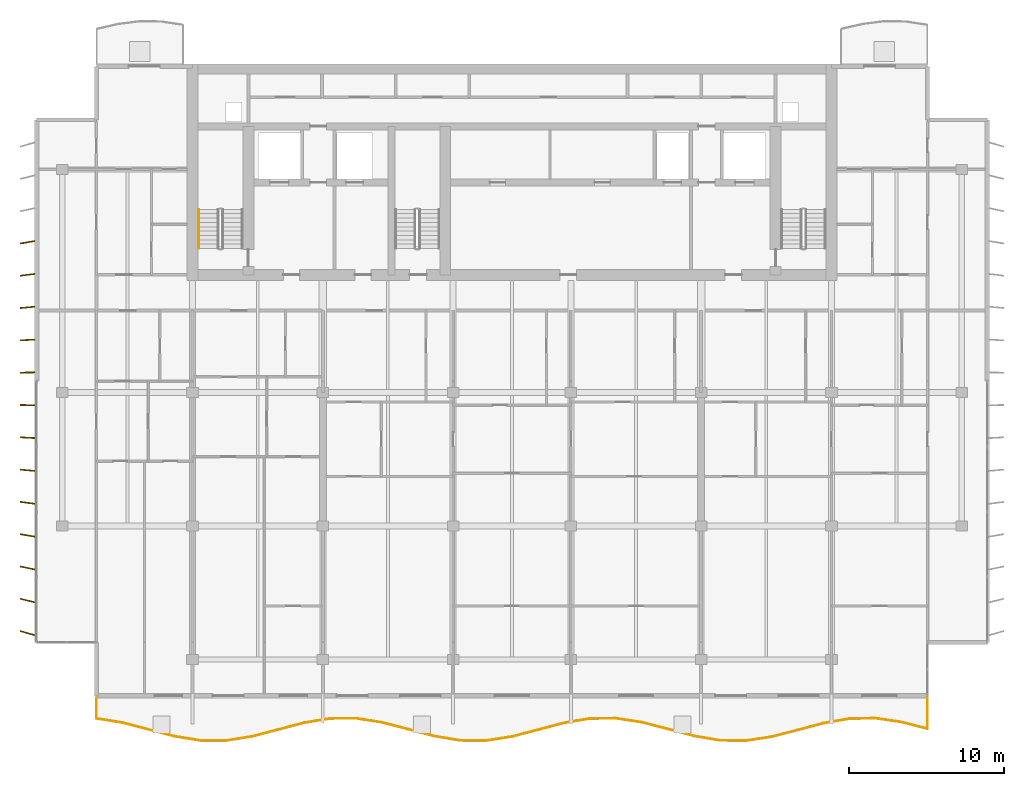
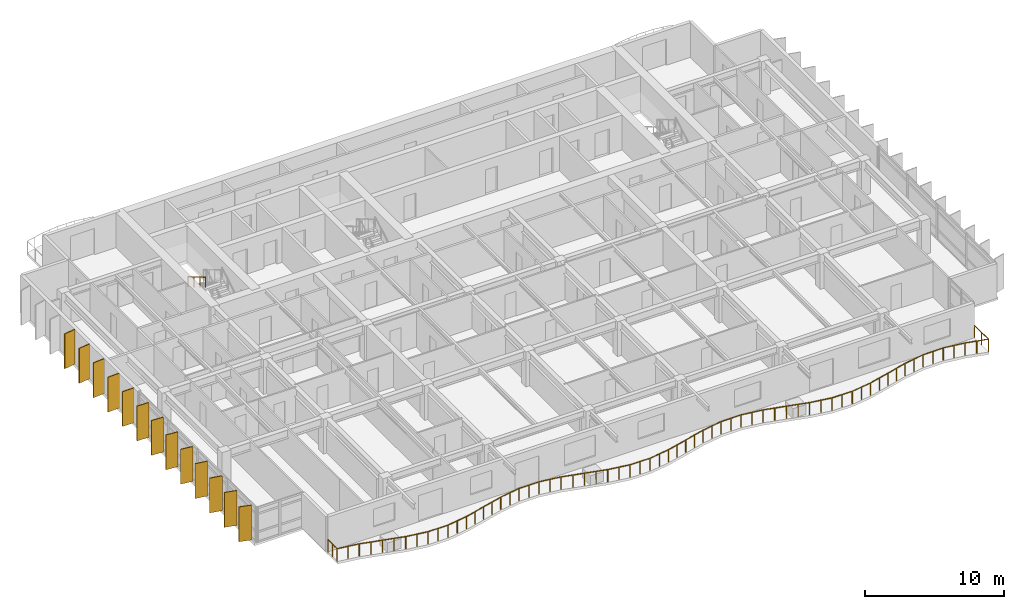
# One storey, part 12 of 16: 13 shading devices, 2 railings.
"""IFC4 building model written with IfcOpenShell, lengths in metres."""

from ifc_helpers import new_model, si_unit, direction, frame, origin, origin_2d, place, context, subcontext, project, spatial, rectangle, circle, extrude, material, material_profile, profile_set, type_object, element, save


model = new_model("IFC4")

# Units and contexts
model_context = context("Model", 3, precision=1e-05, world=origin(), true_north=direction((0.0, 1.0)))
body_context = subcontext(model_context, "Body", "Model", "MODEL_VIEW")
ifc_project = project(units=[si_unit("LENGTHUNIT", "METRE"), si_unit("AREAUNIT", "SQUARE_METRE"), si_unit("VOLUMEUNIT", "CUBIC_METRE"), si_unit("PLANEANGLEUNIT", "RADIAN"), si_unit("MASSUNIT", "GRAM", prefix="KILO")], contexts=[model_context])

# Site, building, storey
site_placement = place(None, origin())
site = spatial("IfcSite", under=ifc_project, at=site_placement, CompositionType="ELEMENT")
building_placement = place(site_placement, origin())
building = spatial("IfcBuilding", under=site, at=building_placement, Name="Caelmar Bay Residences", CompositionType="ELEMENT")
storey_placement = place(building_placement, frame((0.0, 0.0, 252.89990234375)))
storey = spatial("IfcBuildingStorey", under=building, at=storey_placement, Name="L71", CompositionType="ELEMENT", Elevation=252.89990234375)

# Railings
ifc_material_1 = material(Name="Anodised bronze handrail with laminated hurricane glass infill", Category="glass")
railing_type_1 = type_object("IfcRailingType", Name="RL-BAL-1100", PredefinedType="BALUSTRADE", material=ifc_material_1)
railing_1_placement = place(storey_placement, frame((12.10009765625, 9.699951171875, 0.0)))
element("IfcRailing", 1, at=railing_1_placement, inside=storey, type_object=railing_type_1, Name="L71 south Balcony Balustrade", PredefinedType="BALUSTRADE", context=body_context, shape_type="SweptSolid", body=[
    extrude(circle(Radius=0.02392578125, at=origin_2d()), frame((0.0, 0.0, 1.076171875), z_axis=(0.0, -1.0, 0.0), x_axis=(1.0, 0.0, 0.0)), (0.0, 0.0, 1.0), 1.306640625),
    extrude(circle(Radius=0.02392578125, at=origin_2d()), frame((0.0, -1.306640625, 1.076171875), z_axis=(0.987138026326, -0.15987031301, 0.0), x_axis=(0.15987031301, 0.987138026326, 0.0)), (0.0, 0.0, 1.0), 1.696533203125),
    extrude(circle(Radius=0.02392578125, at=origin_2d()), frame((1.6748046875, -1.577880859375, 1.076171875), z_axis=(0.967300607589, -0.25363267644, 0.0), x_axis=(0.25363267644, 0.967300607589, 0.0)), (0.0, 0.0, 1.0), 1.731689453125),
    extrude(circle(Radius=0.02392578125, at=origin_2d()), frame((3.349853515625, -2.01708984375, 1.076171875), z_axis=(0.967162126657, -0.25416022655, 0.0), x_axis=(0.25416022655, 0.967162126657, 0.0)), (0.0, 0.0, 1.0), 1.73193359375),
    extrude(circle(Radius=0.02392578125, at=origin_2d()), frame((5.02490234375, -2.457275390625, 1.076171875), z_axis=(0.986867913487, -0.161529320339, 0.0), x_axis=(0.161529320339, 0.986867913487, 0.0)), (0.0, 0.0, 1.0), 1.697265625),
    extrude(circle(Radius=0.02392578125, at=origin_2d()), frame((6.699951171875, -2.7314453125, 1.076171875), z_axis=(0.999997280849, -0.00233201523, 0.0), x_axis=(0.00233201523, 0.999997280849, 0.0)), (0.0, 0.0, 1.0), 1.675048828125),
    extrude(circle(Radius=0.02392578125, at=origin_2d()), frame((8.375, -2.7353515625, 1.076171875), z_axis=(0.987454102, 0.157906290072, 0.0), x_axis=(-0.157906290072, 0.987454102, 0.0)), (0.0, 0.0, 1.0), 1.696044921875),
    extrude(circle(Radius=0.02392578125, at=origin_2d()), frame((10.0498046875, -2.467529296875, 1.076171875), z_axis=(0.967507863386, 0.25284092684, 0.0), x_axis=(-0.25284092684, 0.967507863386, 0.0)), (0.0, 0.0, 1.0), 1.731201171875),
    extrude(circle(Radius=0.02392578125, at=origin_2d()), frame((11.724853515625, -2.02978515625, 1.076171875), z_axis=(0.966953940543, 0.254951126431, 0.0), x_axis=(-0.254951126431, 0.966953940543, 0.0)), (0.0, 0.0, 1.0), 1.732177734375),
    extrude(circle(Radius=0.02392578125, at=origin_2d()), frame((13.39990234375, -1.588134765625, 1.076171875), z_axis=(0.986545067367, 0.163489541116, 0.0), x_axis=(-0.163489541116, 0.986545067367, 0.0)), (0.0, 0.0, 1.0), 1.697998046875),
    extrude(circle(Radius=0.02392578125, at=origin_2d()), frame((15.074951171875, -1.310546875, 1.076171875), z_axis=(0.999988433139, 0.004809738856, 0.0), x_axis=(-0.004809738856, 0.999988433139, 0.0)), (0.0, 0.0, 1.0), 1.675048828125),
    extrude(circle(Radius=0.02392578125, at=origin_2d()), frame((16.75, -1.302490234375, 1.076171875), z_axis=(0.987788637085, -0.155799898736, 0.0), x_axis=(0.155799898736, 0.987788637085, 0.0)), (0.0, 0.0, 1.0), 1.695556640625),
    extrude(circle(Radius=0.02392578125, at=origin_2d()), frame((18.4248046875, -1.566650390625, 1.076171875), z_axis=(0.967680148991, -0.252180747179, 0.0), x_axis=(0.252180747179, 0.967680148991, 0.0)), (0.0, 0.0, 1.0), 1.73095703125),
    extrude(circle(Radius=0.02392578125, at=origin_2d()), frame((20.099853515625, -2.003173828125, 1.076171875), z_axis=(0.966780026886, -0.255609819089, 0.0), x_axis=(0.255609819089, 0.966780026886, 0.0)), (0.0, 0.0, 1.0), 1.732666015625),
    extrude(circle(Radius=0.02392578125, at=origin_2d()), frame((21.77490234375, -2.446044921875, 1.076171875), z_axis=(0.986218543932, -0.16544782744, 0.0), x_axis=(0.16544782744, 0.986218543932, 0.0)), (0.0, 0.0, 1.0), 1.698486328125),
    extrude(circle(Radius=0.02392578125, at=origin_2d()), frame((23.449951171875, -2.72705078125, 1.076171875), z_axis=(0.999972374031, -0.007433113406, 0.0), x_axis=(0.007433113406, 0.999972374031, 0.0)), (0.0, 0.0, 1.0), 1.675048828125),
    extrude(circle(Radius=0.02392578125, at=origin_2d()), frame((25.125, -2.739501953125, 1.076171875), z_axis=(0.988097015295, 0.15383201346, 0.0), x_axis=(-0.15383201346, 0.988097015295, 0.0)), (0.0, 0.0, 1.0), 1.695068359375),
    extrude(circle(Radius=0.02392578125, at=origin_2d()), frame((26.7998046875, -2.478759765625, 1.076171875), z_axis=(0.967886377615, 0.251388066595, 0.0), x_axis=(-0.251388066595, 0.967886377615, 0.0)), (0.0, 0.0, 1.0), 1.730712890625),
    extrude(circle(Radius=0.02392578125, at=origin_2d()), frame((28.474853515625, -2.043701171875, 1.076171875), z_axis=(0.966640618127, 0.25613651709, 0.0), x_axis=(-0.25613651709, 0.966640618127, 0.0)), (0.0, 0.0, 1.0), 1.73291015625),
    extrude(circle(Radius=0.02392578125, at=origin_2d()), frame((30.14990234375, -1.599853515625, 1.076171875), z_axis=(0.985888354551, 0.167404158731, 0.0), x_axis=(-0.167404158731, 0.985888354551, 0.0)), (0.0, 0.0, 1.0), 1.698974609375),
    extrude(circle(Radius=0.02392578125, at=origin_2d()), frame((31.824951171875, -1.3154296875, 1.076171875), z_axis=(0.999947957597, 0.010202063406, 0.0), x_axis=(-0.010202063406, 0.999947957597, 0.0)), (0.0, 0.0, 1.0), 1.675048828125),
    extrude(circle(Radius=0.02392578125, at=origin_2d()), frame((33.5, -1.29833984375, 1.076171875), z_axis=(0.988401660792, -0.151862295988, 0.0), x_axis=(0.151862295988, 0.988401660792, 0.0)), (0.0, 0.0, 1.0), 1.6943359375),
    extrude(circle(Radius=0.02392578125, at=origin_2d()), frame((35.1748046875, -1.5556640625, 1.076171875), z_axis=(0.968092044278, -0.250594879848, 0.0), x_axis=(0.250594879848, 0.968092044278, 0.0)), (0.0, 0.0, 1.0), 1.730224609375),
    extrude(circle(Radius=0.02392578125, at=origin_2d()), frame((36.849853515625, -1.9892578125, 1.076171875), z_axis=(0.96646601047, -0.25679456888, 0.0), x_axis=(0.25679456888, 0.96646601047, 0.0)), (0.0, 0.0, 1.0), 1.733154296875),
    extrude(circle(Radius=0.02392578125, at=origin_2d()), frame((38.52490234375, -2.434326171875, 1.076171875), z_axis=(0.985554510699, -0.169358514519, 0.0), x_axis=(0.169358514519, 0.985554510699, 0.0)), (0.0, 0.0, 1.0), 1.69970703125),
    extrude(circle(Radius=0.02392578125, at=origin_2d()), frame((40.199951171875, -2.72216796875, 1.076171875), z_axis=(0.999921450957, -0.012533631363, 0.0), x_axis=(0.012533631363, 0.999921450957, 0.0)), (0.0, 0.0, 1.0), 1.67529296875),
    extrude(circle(Radius=0.02392578125, at=origin_2d()), frame((41.875, -2.7431640625, 1.076171875), z_axis=(0.988745242663, 0.149608974036, 0.0), x_axis=(-0.149608974036, 0.988745242663, 0.0)), (0.0, 0.0, 1.0), 1.69384765625),
    extrude(circle(Radius=0.02392578125, at=origin_2d()), frame((43.5498046875, -2.48974609375, 1.076171875), z_axis=(0.968331276877, 0.249668857134, 0.0), x_axis=(-0.249668857134, 0.968331276877, 0.0)), (0.0, 0.0, 1.0), 1.729736328125),
    extrude(circle(Radius=0.02392578125, at=origin_2d()), frame((45.224853515625, -2.057861328125, 1.076171875), z_axis=(0.966291018229, 0.257452263711, 0.0), x_axis=(-0.257452263711, 0.966291018229, 0.0)), (0.0, 0.0, 1.0), 1.7333984375),
    extrude(circle(Radius=0.02392578125, at=origin_2d()), frame((46.89990234375, -1.611572265625, 1.076171875), z_axis=(0.985217023958, 0.171310874447, 0.0), x_axis=(-0.171310874447, 0.985217023958, 0.0)), (0.0, 0.0, 1.0), 1.7001953125),
    extrude(circle(Radius=0.02392578125, at=origin_2d()), frame((48.574951171875, -1.3203125, 1.076171875), z_axis=(0.999882916018, 0.01530209972, 0.0), x_axis=(-0.01530209972, 0.999882916018, 0.0)), (0.0, 0.0, 1.0), 1.67529296875),
    extrude(circle(Radius=0.02392578125, at=origin_2d()), frame((50.25, -1.294677734375, 1.076171875), z_axis=(0.989041853545, -0.147635402045, 0.0), x_axis=(0.147635402045, 0.989041853545, 0.0)), (0.0, 0.0, 1.0), 1.693359375),
    extrude(circle(Radius=0.02392578125, at=origin_2d()), frame((51.9248046875, -1.544677734375, 1.076171875), z_axis=(0.968535721886, -0.248874577712, 0.0), x_axis=(0.248874577712, 0.968535721886, 0.0)), (0.0, 0.0, 1.0), 1.7294921875),
    extrude(circle(Radius=0.02392578125, at=origin_2d()), frame((53.599853515625, -1.97509765625, 1.076171875), z_axis=(0.0, 1.0, 0.0), x_axis=(-1.0, 0.0, 0.0)), (0.0, 0.0, 1.0), 1.97509765625),
    extrude(circle(Radius=0.02099609375, at=origin_2d()), origin(), (0.0, 0.0, 1.0), 1.052001953125),
    extrude(circle(Radius=0.02099609375, at=origin_2d()), frame((0.0, -0.6533203125, 0.0)), (0.0, 0.0, 1.0), 1.052001953125),
    extrude(circle(Radius=0.02099609375, at=origin_2d()), frame((0.0, -1.306640625, 0.0)), (0.0, 0.0, 1.0), 1.052001953125),
    extrude(circle(Radius=0.02099609375, at=origin_2d()), frame((0.83740234375, -1.4423828125, 0.0)), (0.0, 0.0, 1.0), 1.052001953125),
    extrude(circle(Radius=0.02099609375, at=origin_2d()), frame((1.6748046875, -1.577880859375, 0.0)), (0.0, 0.0, 1.0), 1.052001953125),
    extrude(circle(Radius=0.02099609375, at=origin_2d()), frame((2.51220703125, -1.79736328125, 0.0)), (0.0, 0.0, 1.0), 1.052001953125),
    extrude(circle(Radius=0.02099609375, at=origin_2d()), frame((3.349853515625, -2.01708984375, 0.0)), (0.0, 0.0, 1.0), 1.052001953125),
    extrude(circle(Radius=0.02099609375, at=origin_2d()), frame((4.1875, -2.2373046875, 0.0)), (0.0, 0.0, 1.0), 1.052001953125),
    extrude(circle(Radius=0.02099609375, at=origin_2d()), frame((5.02490234375, -2.457275390625, 0.0)), (0.0, 0.0, 1.0), 1.052001953125),
    extrude(circle(Radius=0.02099609375, at=origin_2d()), frame((5.8623046875, -2.59423828125, 0.0)), (0.0, 0.0, 1.0), 1.052001953125),
    extrude(circle(Radius=0.02099609375, at=origin_2d()), frame((6.699951171875, -2.7314453125, 0.0)), (0.0, 0.0, 1.0), 1.052001953125),
    extrude(circle(Radius=0.02099609375, at=origin_2d()), frame((7.53759765625, -2.7333984375, 0.0)), (0.0, 0.0, 1.0), 1.052001953125),
    extrude(circle(Radius=0.02099609375, at=origin_2d()), frame((8.375, -2.7353515625, 0.0)), (0.0, 0.0, 1.0), 1.052001953125),
    extrude(circle(Radius=0.02099609375, at=origin_2d()), frame((9.21240234375, -2.6015625, 0.0)), (0.0, 0.0, 1.0), 1.052001953125),
    extrude(circle(Radius=0.02099609375, at=origin_2d()), frame((10.0498046875, -2.467529296875, 0.0)), (0.0, 0.0, 1.0), 1.052001953125),
    extrude(circle(Radius=0.02099609375, at=origin_2d()), frame((10.88720703125, -2.24853515625, 0.0)), (0.0, 0.0, 1.0), 1.052001953125),
    extrude(circle(Radius=0.02099609375, at=origin_2d()), frame((11.724853515625, -2.02978515625, 0.0)), (0.0, 0.0, 1.0), 1.052001953125),
    extrude(circle(Radius=0.02099609375, at=origin_2d()), frame((12.5625, -1.80908203125, 0.0)), (0.0, 0.0, 1.0), 1.052001953125),
    extrude(circle(Radius=0.02099609375, at=origin_2d()), frame((13.39990234375, -1.588134765625, 0.0)), (0.0, 0.0, 1.0), 1.052001953125),
    extrude(circle(Radius=0.02099609375, at=origin_2d()), frame((14.2373046875, -1.44921875, 0.0)), (0.0, 0.0, 1.0), 1.052001953125),
    extrude(circle(Radius=0.02099609375, at=origin_2d()), frame((15.074951171875, -1.310546875, 0.0)), (0.0, 0.0, 1.0), 1.052001953125),
    extrude(circle(Radius=0.02099609375, at=origin_2d()), frame((15.91259765625, -1.306640625, 0.0)), (0.0, 0.0, 1.0), 1.052001953125),
    extrude(circle(Radius=0.02099609375, at=origin_2d()), frame((16.75, -1.302490234375, 0.0)), (0.0, 0.0, 1.0), 1.052001953125),
    extrude(circle(Radius=0.02099609375, at=origin_2d()), frame((17.58740234375, -1.4345703125, 0.0)), (0.0, 0.0, 1.0), 1.052001953125),
    extrude(circle(Radius=0.02099609375, at=origin_2d()), frame((18.4248046875, -1.566650390625, 0.0)), (0.0, 0.0, 1.0), 1.052001953125),
    extrude(circle(Radius=0.02099609375, at=origin_2d()), frame((19.26220703125, -1.784912109375, 0.0)), (0.0, 0.0, 1.0), 1.052001953125),
    extrude(circle(Radius=0.02099609375, at=origin_2d()), frame((20.099853515625, -2.003173828125, 0.0)), (0.0, 0.0, 1.0), 1.052001953125),
    extrude(circle(Radius=0.02099609375, at=origin_2d()), frame((20.9375, -2.224609375, 0.0)), (0.0, 0.0, 1.0), 1.052001953125),
    extrude(circle(Radius=0.02099609375, at=origin_2d()), frame((21.77490234375, -2.446044921875, 0.0)), (0.0, 0.0, 1.0), 1.052001953125),
    extrude(circle(Radius=0.02099609375, at=origin_2d()), frame((22.6123046875, -2.58642578125, 0.0)), (0.0, 0.0, 1.0), 1.052001953125),
    extrude(circle(Radius=0.02099609375, at=origin_2d()), frame((23.449951171875, -2.72705078125, 0.0)), (0.0, 0.0, 1.0), 1.052001953125),
    extrude(circle(Radius=0.02099609375, at=origin_2d()), frame((24.28759765625, -2.7333984375, 0.0)), (0.0, 0.0, 1.0), 1.052001953125),
    extrude(circle(Radius=0.02099609375, at=origin_2d()), frame((25.125, -2.739501953125, 0.0)), (0.0, 0.0, 1.0), 1.052001953125),
    extrude(circle(Radius=0.02099609375, at=origin_2d()), frame((25.96240234375, -2.609130859375, 0.0)), (0.0, 0.0, 1.0), 1.052001953125),
    extrude(circle(Radius=0.02099609375, at=origin_2d()), frame((26.7998046875, -2.478759765625, 0.0)), (0.0, 0.0, 1.0), 1.052001953125),
    extrude(circle(Radius=0.02099609375, at=origin_2d()), frame((27.63720703125, -2.26123046875, 0.0)), (0.0, 0.0, 1.0), 1.052001953125),
    extrude(circle(Radius=0.02099609375, at=origin_2d()), frame((28.474853515625, -2.043701171875, 0.0)), (0.0, 0.0, 1.0), 1.052001953125),
    extrude(circle(Radius=0.02099609375, at=origin_2d()), frame((29.3125, -1.82177734375, 0.0)), (0.0, 0.0, 1.0), 1.052001953125),
    extrude(circle(Radius=0.02099609375, at=origin_2d()), frame((30.14990234375, -1.599853515625, 0.0)), (0.0, 0.0, 1.0), 1.052001953125),
    extrude(circle(Radius=0.02099609375, at=origin_2d()), frame((30.9873046875, -1.45751953125, 0.0)), (0.0, 0.0, 1.0), 1.052001953125),
    extrude(circle(Radius=0.02099609375, at=origin_2d()), frame((31.824951171875, -1.3154296875, 0.0)), (0.0, 0.0, 1.0), 1.052001953125),
    extrude(circle(Radius=0.02099609375, at=origin_2d()), frame((32.66259765625, -1.306884765625, 0.0)), (0.0, 0.0, 1.0), 1.052001953125),
    extrude(circle(Radius=0.02099609375, at=origin_2d()), frame((33.5, -1.29833984375, 0.0)), (0.0, 0.0, 1.0), 1.052001953125),
    extrude(circle(Radius=0.02099609375, at=origin_2d()), frame((34.33740234375, -1.427001953125, 0.0)), (0.0, 0.0, 1.0), 1.052001953125),
    extrude(circle(Radius=0.02099609375, at=origin_2d()), frame((35.1748046875, -1.5556640625, 0.0)), (0.0, 0.0, 1.0), 1.052001953125),
    extrude(circle(Radius=0.02099609375, at=origin_2d()), frame((36.01220703125, -1.7724609375, 0.0)), (0.0, 0.0, 1.0), 1.052001953125),
    extrude(circle(Radius=0.02099609375, at=origin_2d()), frame((36.849853515625, -1.9892578125, 0.0)), (0.0, 0.0, 1.0), 1.052001953125),
    extrude(circle(Radius=0.02099609375, at=origin_2d()), frame((37.6875, -2.2119140625, 0.0)), (0.0, 0.0, 1.0), 1.052001953125),
    extrude(circle(Radius=0.02099609375, at=origin_2d()), frame((38.52490234375, -2.434326171875, 0.0)), (0.0, 0.0, 1.0), 1.052001953125),
    extrude(circle(Radius=0.02099609375, at=origin_2d()), frame((39.3623046875, -2.578125, 0.0)), (0.0, 0.0, 1.0), 1.052001953125),
    extrude(circle(Radius=0.02099609375, at=origin_2d()), frame((40.199951171875, -2.72216796875, 0.0)), (0.0, 0.0, 1.0), 1.052001953125),
    extrude(circle(Radius=0.02099609375, at=origin_2d()), frame((41.03759765625, -2.732666015625, 0.0)), (0.0, 0.0, 1.0), 1.052001953125),
    extrude(circle(Radius=0.02099609375, at=origin_2d()), frame((41.875, -2.7431640625, 0.0)), (0.0, 0.0, 1.0), 1.052001953125),
    extrude(circle(Radius=0.02099609375, at=origin_2d()), frame((42.71240234375, -2.616455078125, 0.0)), (0.0, 0.0, 1.0), 1.052001953125),
    extrude(circle(Radius=0.02099609375, at=origin_2d()), frame((43.5498046875, -2.48974609375, 0.0)), (0.0, 0.0, 1.0), 1.052001953125),
    extrude(circle(Radius=0.02099609375, at=origin_2d()), frame((44.38720703125, -2.27392578125, 0.0)), (0.0, 0.0, 1.0), 1.052001953125),
    extrude(circle(Radius=0.02099609375, at=origin_2d()), frame((45.224853515625, -2.057861328125, 0.0)), (0.0, 0.0, 1.0), 1.052001953125),
    extrude(circle(Radius=0.02099609375, at=origin_2d()), frame((46.0625, -1.834716796875, 0.0)), (0.0, 0.0, 1.0), 1.052001953125),
    extrude(circle(Radius=0.02099609375, at=origin_2d()), frame((46.89990234375, -1.611572265625, 0.0)), (0.0, 0.0, 1.0), 1.052001953125),
    extrude(circle(Radius=0.02099609375, at=origin_2d()), frame((47.7373046875, -1.4658203125, 0.0)), (0.0, 0.0, 1.0), 1.052001953125),
    extrude(circle(Radius=0.02099609375, at=origin_2d()), frame((48.574951171875, -1.3203125, 0.0)), (0.0, 0.0, 1.0), 1.052001953125),
    extrude(circle(Radius=0.02099609375, at=origin_2d()), frame((49.41259765625, -1.3076171875, 0.0)), (0.0, 0.0, 1.0), 1.052001953125),
    extrude(circle(Radius=0.02099609375, at=origin_2d()), frame((50.25, -1.294677734375, 0.0)), (0.0, 0.0, 1.0), 1.052001953125),
    extrude(circle(Radius=0.02099609375, at=origin_2d()), frame((51.08740234375, -1.419677734375, 0.0)), (0.0, 0.0, 1.0), 1.052001953125),
    extrude(circle(Radius=0.02099609375, at=origin_2d()), frame((51.9248046875, -1.544677734375, 0.0)), (0.0, 0.0, 1.0), 1.052001953125),
    extrude(circle(Radius=0.02099609375, at=origin_2d()), frame((52.76220703125, -1.759765625, 0.0)), (0.0, 0.0, 1.0), 1.052001953125),
    extrude(circle(Radius=0.02099609375, at=origin_2d()), frame((53.599853515625, -1.97509765625, 0.0)), (0.0, 0.0, 1.0), 1.052001953125),
    extrude(circle(Radius=0.02099609375, at=origin_2d()), frame((53.599853515625, -0.987548828125, 0.0)), (0.0, 0.0, 1.0), 1.052001953125),
    extrude(circle(Radius=0.02099609375, at=origin_2d()), frame((53.599853515625, 0.0, 0.0)), (0.0, 0.0, 1.0), 1.052001953125),
])
ifc_material_2 = material(Name="Brushed bronze stainless-steel tubular handrail 900 mm", Category="steel")
railing_type_2 = type_object("IfcRailingType", Name="RL-HND-900", PredefinedType="HANDRAIL", material=ifc_material_2)
railing_2_placement = place(storey_placement, frame((18.699951171875, 41.219970703125, 1.815185546875)))
element("IfcRailing", 2, at=railing_2_placement, inside=storey, type_object=railing_type_2, Name="L71 ST1 stair handrail 2", PredefinedType="HANDRAIL", context=body_context, shape_type="SweptSolid", body=[
    extrude(circle(Radius=0.02392578125, at=origin_2d()), frame((0.0, 0.0, 0.8759765625), z_axis=(0.0, -0.861560626758, 0.507654692109), x_axis=(1.0, 0.0, 0.0)), (0.0, 0.0, 1.0), 2.925048828125),
    extrude(circle(Radius=0.02099609375, at=origin_2d()), origin(), (0.0, 0.0, 1.0), 0.851806640625),
    extrude(circle(Radius=0.02099609375, at=origin_2d()), frame((0.0, -0.840087890625, 0.494873046875)), (0.0, 0.0, 1.0), 0.851806640625),
    extrude(circle(Radius=0.02099609375, at=origin_2d()), frame((0.0, -1.679931640625, 0.989990234375)), (0.0, 0.0, 1.0), 0.851806640625),
    extrude(circle(Radius=0.02099609375, at=origin_2d()), frame((0.0, -2.52001953125, 1.48486328125)), (0.0, 0.0, 1.0), 0.851806640625),
])

# Shading devices
ifc_material_3 = material(Name="Anodised architectural bronze aluminium 6063-T6", Category="aluminium")
ifc_material_profile = material_profile(ifc_material_3, rectangle(XDim=0.074951171875, YDim=0.949951171875, at=origin_2d()), Name="BRONZE-FIN-75X950")
ifc_profile_set = profile_set([ifc_material_profile], Name="Anodised architectural bronze aluminium 6063-T6")
shading_device_type = type_object("IfcShadingDeviceType", Name="SHD-FIN-950", PredefinedType="USERDEFINED", material=ifc_profile_set)
for number, where, z_axis, x_axis, name in (
    (3, (7.64990234375, 13.89990234375, 0.0), (0.0, 0.0, 1.0), (0.275637355817, 0.961261695938, 0.0), "L71 West Bronze Solar Fin 1"),
    (4, (7.64990234375, 16.0, 0.0), (0.0, 0.0, 1.0), (0.239719743609, 0.970842131618, 0.0), "L71 West Bronze Solar Fin 2"),
    (5, (7.64990234375, 18.10009765625, 0.0), (0.0, 0.0, 1.0), (0.2032999874, 0.979116497217, 0.0), "L71 West Bronze Solar Fin 3"),
    (6, (7.64990234375, 20.199951171875, 0.0), (0.0, 0.0, 1.0), (0.166768746716, 0.985996037071, 0.0), "L71 West Bronze Solar Fin 4"),
    (7, (7.64990234375, 22.300048828125, 0.0), (0.0, 0.0, 1.0), (0.130007055036, 0.99151306882, 0.0), "L71 West Bronze Solar Fin 5"),
    (8, (7.64990234375, 24.39990234375, 0.0), (0.0, 0.0, 1.0), (0.092891934994, 0.995676196569, 0.0), "L71 West Bronze Solar Fin 6"),
    (9, (7.64990234375, 26.5, 0.0), (0.0, 0.0, 1.0), (0.055821504993, 0.998440764182, 0.0), "L71 West Bronze Solar Fin 7"),
    (10, (7.64990234375, 28.60009765625, 0.0), (0.0, 0.0, 1.0), (0.018673937509, 0.999825626826, 0.0), "L71 West Bronze Solar Fin 8"),
    (11, (7.64990234375, 30.699951171875, 0.0), (0.0, 0.0, 1.0), (-0.018673937509, 0.999825626826, 0.0), "L71 West Bronze Solar Fin 9"),
    (12, (7.64990234375, 32.800048828125, 0.0), (0.0, 0.0, 1.0), (-0.055821504993, 0.998440764182, 0.0), "L71 West Bronze Solar Fin 10"),
    (13, (7.64990234375, 34.89990234375, 0.0), (0.0, 0.0, 1.0), (-0.092891934994, 0.995676196569, 0.0), "L71 West Bronze Solar Fin 11"),
    (14, (7.64990234375, 37.0, 0.0), (0.0, 0.0, 1.0), (-0.130007055036, 0.99151306882, 0.0), "L71 West Bronze Solar Fin 12"),
    (15, (7.64990234375, 39.10009765625, 0.0), (0.0, 0.0, 1.0), (-0.166768746716, 0.985996037071, 0.0), "L71 West Bronze Solar Fin 13"),
):
    element("IfcShadingDevice", number, at=place(storey_placement, frame(where, z_axis=z_axis, x_axis=x_axis)), inside=storey, type_object=shading_device_type, Name=name, ObjectType="FIN", PredefinedType="USERDEFINED", context=body_context, shape_type="SweptSolid", body=[
        extrude(rectangle(XDim=0.074951171875, YDim=0.949951171875, at=origin_2d()), origin(), (0.0, 0.0, 1.0), 3.050048828125),
    ])

save(model, "model.ifc")
